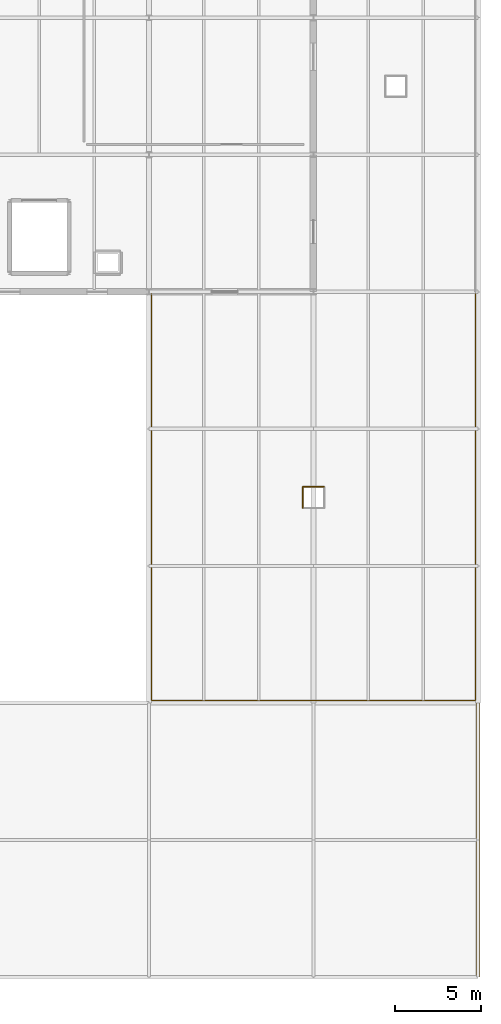
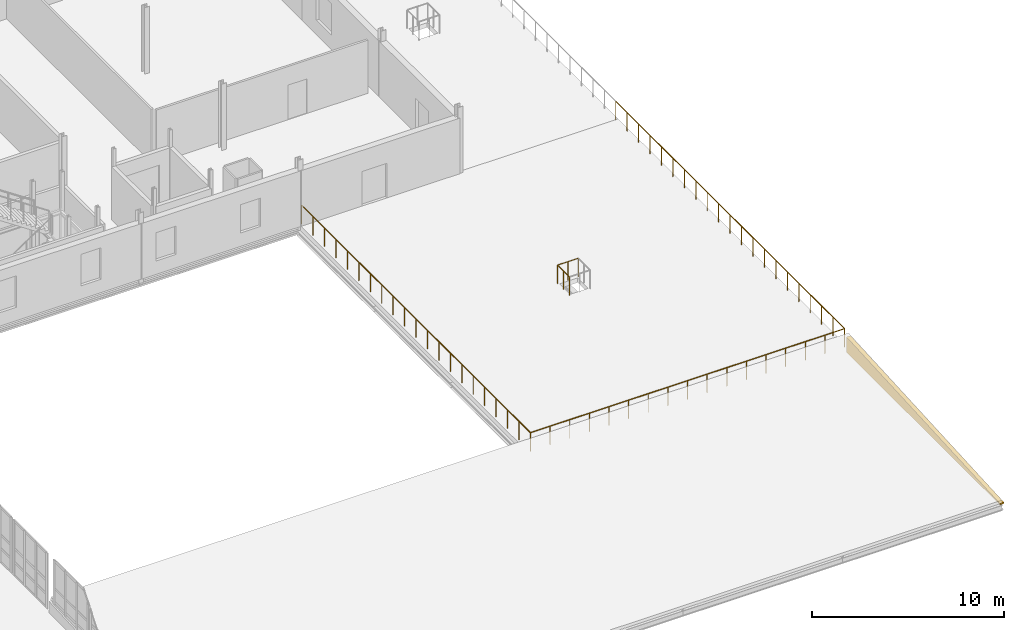
# One storey, part 71 of 73: 2 railings, 1 covering.
"""IFC4 building model written with IfcOpenShell, lengths in metres."""

from ifc_helpers import new_model, si_unit, direction, frame, origin, origin_2d, place, context, subcontext, project, spatial, polyline, circle, outline, extrude, material, layer, layer_set, type_object, element, save


model = new_model("IFC4")

# Units and contexts
model_context = context("Model", 3, precision=1e-05, world=origin(), true_north=direction((0.0, 1.0)))
body_context = subcontext(model_context, "Body", "Model", "MODEL_VIEW")
ifc_project = project(units=[si_unit("LENGTHUNIT", "METRE"), si_unit("AREAUNIT", "SQUARE_METRE"), si_unit("VOLUMEUNIT", "CUBIC_METRE"), si_unit("PLANEANGLEUNIT", "RADIAN"), si_unit("MASSUNIT", "GRAM", prefix="KILO")], contexts=[model_context])

# Site, building, storey
site_placement = place(None, origin())
site = spatial("IfcSite", under=ifc_project, at=site_placement, CompositionType="ELEMENT")
building_placement = place(site_placement, origin())
building = spatial("IfcBuilding", under=site, at=building_placement, Name="Alderhovde Museum", CompositionType="ELEMENT")
storey_placement = place(building_placement, frame((0.0, 0.0, 12.89990234375)))
storey = spatial("IfcBuildingStorey", under=building, at=storey_placement, Name="L03", CompositionType="ELEMENT", Elevation=12.89990234375)

# Covering
ifc_material_1 = material(Name="Carved Jura Limestone Gable Tympanum Cladding", Category="masonry")
ifc_layer = layer(ifc_material_1, 0.239990234375)
ifc_layer_set = layer_set([ifc_layer], Name="Carved Jura Limestone Gable Tympanum Cladding")
covering_type = type_object("IfcCoveringType", Name="COV-TYMP-STONE", PredefinedType="CLADDING", material=ifc_layer_set)
covering_placement = place(storey_placement, frame((163.199951171875, 32.0, -0.260009765625), z_axis=(0.0, 0.0, 1.0), x_axis=(0.0, 1.0, 0.0)))
element("IfcCovering", 1, at=covering_placement, inside=storey, type_object=covering_type, Name="Conservation South Wing Step Cheek 13", PredefinedType="CLADDING", context=body_context, shape_type="SweptSolid", body=[
    extrude(outline(polyline([(0.0, 0.0), (16.0, 0.0), (16.0, 0.980224609375), (0.0, 0.080078125), (0.0, 0.0)])), frame((0.0, 0.1201171875, 0.0), z_axis=(0.0, -1.0, 0.0), x_axis=(1.0, 0.0, 0.0)), (0.0, 0.0, 1.0), 0.239990234375),
])

# Railings
ifc_material_2 = material(Name="Bronze-Anodised Steel and Honed Limestone Balustrade", Category="masonry")
railing_type = type_object("IfcRailingType", Name="RL-BALUSTRADE-1200", PredefinedType="BALUSTRADE", material=ifc_material_2)
railing_1_placement = place(storey_placement, frame((144.14990234375, 72.0, 0.0)))
element("IfcRailing", 2, at=railing_1_placement, inside=storey, type_object=railing_type, Name="L03 Terrace Balustrade BAL-L03-SCULP-PERIM", PredefinedType="BALUSTRADE", context=body_context, shape_type="SweptSolid", body=[
    extrude(circle(Radius=0.030029296875, at=origin_2d()), frame((0.0, 0.0, 1.169921875), z_axis=(0.0, -1.0, 0.0), x_axis=(1.0, 0.0, 0.0)), (0.0, 0.0, 1.0), 23.85009765625),
    extrude(circle(Radius=0.030029296875, at=origin_2d()), frame((0.0, -23.85009765625, 1.169921875), z_axis=(1.0, 0.0, 0.0), x_axis=(0.0, 1.0, 0.0)), (0.0, 0.0, 1.0), 18.900146484375),
    extrude(circle(Radius=0.030029296875, at=origin_2d()), frame((18.900146484375, -23.85009765625, 1.169921875), z_axis=(0.0, 1.0, 0.0), x_axis=(-1.0, 0.0, 0.0)), (0.0, 0.0, 1.0), 23.85009765625),
    extrude(circle(Radius=0.02490234375, at=origin_2d()), origin(), (0.0, 0.0, 1.0), 1.139892578125),
    extrude(circle(Radius=0.02490234375, at=origin_2d()), frame((0.0, -1.1923828125, 0.0)), (0.0, 0.0, 1.0), 1.139892578125),
    extrude(circle(Radius=0.02490234375, at=origin_2d()), frame((0.0, -2.385009765625, 0.0)), (0.0, 0.0, 1.0), 1.139892578125),
    extrude(circle(Radius=0.02490234375, at=origin_2d()), frame((0.0, -3.57763671875, 0.0)), (0.0, 0.0, 1.0), 1.139892578125),
    extrude(circle(Radius=0.02490234375, at=origin_2d()), frame((0.0, -4.77001953125, 0.0)), (0.0, 0.0, 1.0), 1.139892578125),
    extrude(circle(Radius=0.02490234375, at=origin_2d()), frame((0.0, -5.96240234375, 0.0)), (0.0, 0.0, 1.0), 1.139892578125),
    extrude(circle(Radius=0.02490234375, at=origin_2d()), frame((0.0, -7.155029296875, 0.0)), (0.0, 0.0, 1.0), 1.139892578125),
    extrude(circle(Radius=0.02490234375, at=origin_2d()), frame((0.0, -8.34765625, 0.0)), (0.0, 0.0, 1.0), 1.139892578125),
    extrude(circle(Radius=0.02490234375, at=origin_2d()), frame((0.0, -9.5400390625, 0.0)), (0.0, 0.0, 1.0), 1.139892578125),
    extrude(circle(Radius=0.02490234375, at=origin_2d()), frame((0.0, -10.732421875, 0.0)), (0.0, 0.0, 1.0), 1.139892578125),
    extrude(circle(Radius=0.02490234375, at=origin_2d()), frame((0.0, -11.925048828125, 0.0)), (0.0, 0.0, 1.0), 1.139892578125),
    extrude(circle(Radius=0.02490234375, at=origin_2d()), frame((0.0, -13.11767578125, 0.0)), (0.0, 0.0, 1.0), 1.139892578125),
    extrude(circle(Radius=0.02490234375, at=origin_2d()), frame((0.0, -14.31005859375, 0.0)), (0.0, 0.0, 1.0), 1.139892578125),
    extrude(circle(Radius=0.02490234375, at=origin_2d()), frame((0.0, -15.50244140625, 0.0)), (0.0, 0.0, 1.0), 1.139892578125),
    extrude(circle(Radius=0.02490234375, at=origin_2d()), frame((0.0, -16.695068359375, 0.0)), (0.0, 0.0, 1.0), 1.139892578125),
    extrude(circle(Radius=0.02490234375, at=origin_2d()), frame((0.0, -17.8876953125, 0.0)), (0.0, 0.0, 1.0), 1.139892578125),
    extrude(circle(Radius=0.02490234375, at=origin_2d()), frame((0.0, -19.080078125, 0.0)), (0.0, 0.0, 1.0), 1.139892578125),
    extrude(circle(Radius=0.02490234375, at=origin_2d()), frame((0.0, -20.2724609375, 0.0)), (0.0, 0.0, 1.0), 1.139892578125),
    extrude(circle(Radius=0.02490234375, at=origin_2d()), frame((0.0, -21.465087890625, 0.0)), (0.0, 0.0, 1.0), 1.139892578125),
    extrude(circle(Radius=0.02490234375, at=origin_2d()), frame((0.0, -22.65771484375, 0.0)), (0.0, 0.0, 1.0), 1.139892578125),
    extrude(circle(Radius=0.02490234375, at=origin_2d()), frame((0.0, -23.85009765625, 0.0)), (0.0, 0.0, 1.0), 1.139892578125),
    extrude(circle(Radius=0.02490234375, at=origin_2d()), frame((1.18115234375, -23.85009765625, 0.0)), (0.0, 0.0, 1.0), 1.139892578125),
    extrude(circle(Radius=0.02490234375, at=origin_2d()), frame((2.362548828125, -23.85009765625, 0.0)), (0.0, 0.0, 1.0), 1.139892578125),
    extrude(circle(Radius=0.02490234375, at=origin_2d()), frame((3.543701171875, -23.85009765625, 0.0)), (0.0, 0.0, 1.0), 1.139892578125),
    extrude(circle(Radius=0.02490234375, at=origin_2d()), frame((4.72509765625, -23.85009765625, 0.0)), (0.0, 0.0, 1.0), 1.139892578125),
    extrude(circle(Radius=0.02490234375, at=origin_2d()), frame((5.90625, -23.85009765625, 0.0)), (0.0, 0.0, 1.0), 1.139892578125),
    extrude(circle(Radius=0.02490234375, at=origin_2d()), frame((7.087646484375, -23.85009765625, 0.0)), (0.0, 0.0, 1.0), 1.139892578125),
    extrude(circle(Radius=0.02490234375, at=origin_2d()), frame((8.268798828125, -23.85009765625, 0.0)), (0.0, 0.0, 1.0), 1.139892578125),
    extrude(circle(Radius=0.02490234375, at=origin_2d()), frame((9.4501953125, -23.85009765625, 0.0)), (0.0, 0.0, 1.0), 1.139892578125),
    extrude(circle(Radius=0.02490234375, at=origin_2d()), frame((10.63134765625, -23.85009765625, 0.0)), (0.0, 0.0, 1.0), 1.139892578125),
    extrude(circle(Radius=0.02490234375, at=origin_2d()), frame((11.8125, -23.85009765625, 0.0)), (0.0, 0.0, 1.0), 1.139892578125),
    extrude(circle(Radius=0.02490234375, at=origin_2d()), frame((12.993896484375, -23.85009765625, 0.0)), (0.0, 0.0, 1.0), 1.139892578125),
    extrude(circle(Radius=0.02490234375, at=origin_2d()), frame((14.175048828125, -23.85009765625, 0.0)), (0.0, 0.0, 1.0), 1.139892578125),
    extrude(circle(Radius=0.02490234375, at=origin_2d()), frame((15.3564453125, -23.85009765625, 0.0)), (0.0, 0.0, 1.0), 1.139892578125),
    extrude(circle(Radius=0.02490234375, at=origin_2d()), frame((16.53759765625, -23.85009765625, 0.0)), (0.0, 0.0, 1.0), 1.139892578125),
    extrude(circle(Radius=0.02490234375, at=origin_2d()), frame((17.718994140625, -23.85009765625, 0.0)), (0.0, 0.0, 1.0), 1.139892578125),
    extrude(circle(Radius=0.02490234375, at=origin_2d()), frame((18.900146484375, -23.85009765625, 0.0)), (0.0, 0.0, 1.0), 1.139892578125),
    extrude(circle(Radius=0.02490234375, at=origin_2d()), frame((18.900146484375, -22.65771484375, 0.0)), (0.0, 0.0, 1.0), 1.139892578125),
    extrude(circle(Radius=0.02490234375, at=origin_2d()), frame((18.900146484375, -21.465087890625, 0.0)), (0.0, 0.0, 1.0), 1.139892578125),
    extrude(circle(Radius=0.02490234375, at=origin_2d()), frame((18.900146484375, -20.2724609375, 0.0)), (0.0, 0.0, 1.0), 1.139892578125),
    extrude(circle(Radius=0.02490234375, at=origin_2d()), frame((18.900146484375, -19.080078125, 0.0)), (0.0, 0.0, 1.0), 1.139892578125),
    extrude(circle(Radius=0.02490234375, at=origin_2d()), frame((18.900146484375, -17.8876953125, 0.0)), (0.0, 0.0, 1.0), 1.139892578125),
    extrude(circle(Radius=0.02490234375, at=origin_2d()), frame((18.900146484375, -16.695068359375, 0.0)), (0.0, 0.0, 1.0), 1.139892578125),
    extrude(circle(Radius=0.02490234375, at=origin_2d()), frame((18.900146484375, -15.50244140625, 0.0)), (0.0, 0.0, 1.0), 1.139892578125),
    extrude(circle(Radius=0.02490234375, at=origin_2d()), frame((18.900146484375, -14.31005859375, 0.0)), (0.0, 0.0, 1.0), 1.139892578125),
    extrude(circle(Radius=0.02490234375, at=origin_2d()), frame((18.900146484375, -13.11767578125, 0.0)), (0.0, 0.0, 1.0), 1.139892578125),
    extrude(circle(Radius=0.02490234375, at=origin_2d()), frame((18.900146484375, -11.925048828125, 0.0)), (0.0, 0.0, 1.0), 1.139892578125),
    extrude(circle(Radius=0.02490234375, at=origin_2d()), frame((18.900146484375, -10.732421875, 0.0)), (0.0, 0.0, 1.0), 1.139892578125),
    extrude(circle(Radius=0.02490234375, at=origin_2d()), frame((18.900146484375, -9.5400390625, 0.0)), (0.0, 0.0, 1.0), 1.139892578125),
    extrude(circle(Radius=0.02490234375, at=origin_2d()), frame((18.900146484375, -8.34765625, 0.0)), (0.0, 0.0, 1.0), 1.139892578125),
    extrude(circle(Radius=0.02490234375, at=origin_2d()), frame((18.900146484375, -7.155029296875, 0.0)), (0.0, 0.0, 1.0), 1.139892578125),
    extrude(circle(Radius=0.02490234375, at=origin_2d()), frame((18.900146484375, -5.96240234375, 0.0)), (0.0, 0.0, 1.0), 1.139892578125),
    extrude(circle(Radius=0.02490234375, at=origin_2d()), frame((18.900146484375, -4.77001953125, 0.0)), (0.0, 0.0, 1.0), 1.139892578125),
    extrude(circle(Radius=0.02490234375, at=origin_2d()), frame((18.900146484375, -3.57763671875, 0.0)), (0.0, 0.0, 1.0), 1.139892578125),
    extrude(circle(Radius=0.02490234375, at=origin_2d()), frame((18.900146484375, -2.385009765625, 0.0)), (0.0, 0.0, 1.0), 1.139892578125),
    extrude(circle(Radius=0.02490234375, at=origin_2d()), frame((18.900146484375, -1.1923828125, 0.0)), (0.0, 0.0, 1.0), 1.139892578125),
    extrude(circle(Radius=0.02490234375, at=origin_2d()), frame((18.900146484375, 0.0, 0.0)), (0.0, 0.0, 1.0), 1.139892578125),
])
railing_2_placement = place(storey_placement, frame((154.219970703125, 60.6201171875, 0.0)))
element("IfcRailing", 3, at=railing_2_placement, inside=storey, type_object=railing_type, Name="L03 Terrace Planter Guard SLAB-TERR-L03-COURT B", PredefinedType="BALUSTRADE", context=body_context, shape_type="SweptSolid", body=[
    extrude(circle(Radius=0.02392578125, at=origin_2d()), frame((0.0, 0.0, 1.17578125), z_axis=(-1.0, 0.0, 0.0), x_axis=(0.0, -1.0, 0.0)), (0.0, 0.0, 1.0), 1.239990234375),
    extrude(circle(Radius=0.02392578125, at=origin_2d()), frame((-1.239990234375, 0.0, 1.17578125), z_axis=(0.0, -1.0, 0.0), x_axis=(1.0, 0.0, 0.0)), (0.0, 0.0, 1.0), 1.240234375),
    extrude(circle(Radius=0.02099609375, at=origin_2d()), origin(), (0.0, 0.0, 1.0), 1.15185546875),
    extrude(circle(Radius=0.02099609375, at=origin_2d()), frame((-0.6201171875, 0.0, 0.0)), (0.0, 0.0, 1.0), 1.15185546875),
    extrude(circle(Radius=0.02099609375, at=origin_2d()), frame((-1.239990234375, 0.0, 0.0)), (0.0, 0.0, 1.0), 1.15185546875),
    extrude(circle(Radius=0.02099609375, at=origin_2d()), frame((-1.239990234375, -0.6201171875, 0.0)), (0.0, 0.0, 1.0), 1.15185546875),
    extrude(circle(Radius=0.02099609375, at=origin_2d()), frame((-1.239990234375, -1.240234375, 0.0)), (0.0, 0.0, 1.0), 1.15185546875),
])

save(model, "model.ifc")
